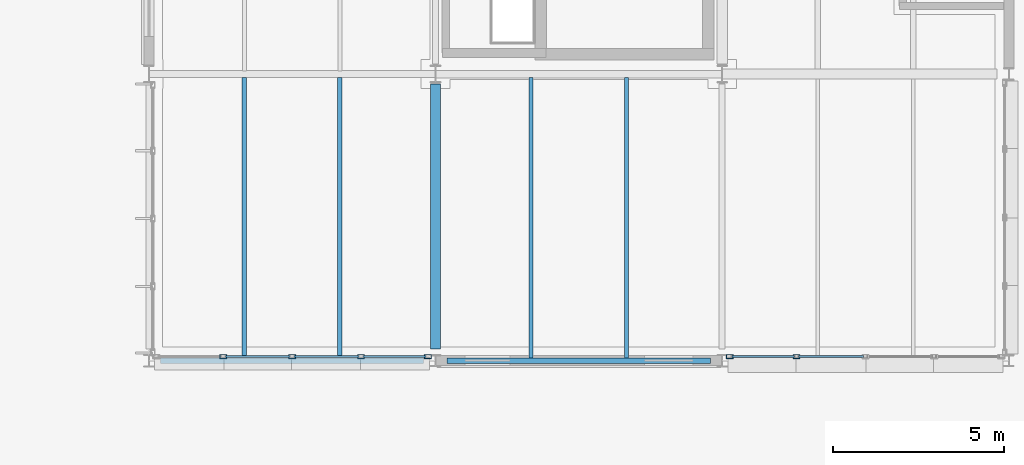
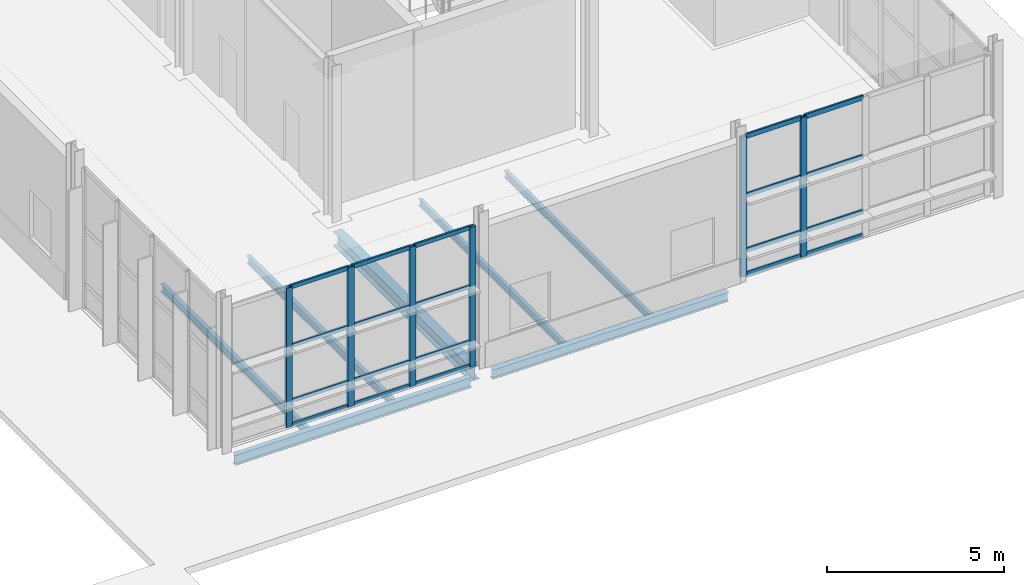
# One storey, part 53 of 124: 26 members, 7 beams, 2 elements without a shape of their own.
"""IFC4 building model written with IfcOpenShell, lengths in metres."""

from ifc_helpers import new_model, si_unit, direction, frame, origin, origin_2d, place, context, subcontext, project, spatial, hollow_rectangle, i_section, extrude, material, material_profile, profile_set, type_object, element, aggregate, save


model = new_model("IFC4")

# Units and contexts
model_context = context("Model", 3, precision=1e-05, world=origin(), true_north=direction((0.0, 1.0)))
body_context = subcontext(model_context, "Body", "Model", "MODEL_VIEW")
ifc_project = project(units=[si_unit("LENGTHUNIT", "METRE"), si_unit("AREAUNIT", "SQUARE_METRE"), si_unit("VOLUMEUNIT", "CUBIC_METRE"), si_unit("PLANEANGLEUNIT", "RADIAN"), si_unit("MASSUNIT", "GRAM", prefix="KILO")], contexts=[model_context])

# Site, building, storey
site_placement = place(None, origin())
site = spatial("IfcSite", under=ifc_project, at=site_placement, CompositionType="ELEMENT")
building_placement = place(site_placement, origin())
building = spatial("IfcBuilding", under=site, at=building_placement, Name="Mersafa Astral City Hall", CompositionType="ELEMENT")
storey_placement = place(building_placement, origin())
storey = spatial("IfcBuildingStorey", under=building, at=storey_placement, Name="L00", CompositionType="ELEMENT", Elevation=0.0)

# Curtain wall, members
ifc_material_1 = material(Name="Anodised bronze aluminium framing", Category="aluminium")
curtain_wall_type_1 = type_object("IfcCurtainWallType", Name="ENV-CW-6", PredefinedType="USERDEFINED", material=ifc_material_1)
curtain_wall_1_placement = place(storey_placement, origin())
curtain_wall_1 = element("IfcCurtainWall", 1, at=curtain_wall_1_placement, inside=storey, type_object=curtain_wall_type_1, Name="L00 Unitised solar curtain wall 23", ObjectType="UNITISED CURTAIN WALL", PredefinedType="USERDEFINED")
ifc_material_profile_1 = material_profile(ifc_material_1, hollow_rectangle(XDim=0.1201171875, YDim=0.199951171875, WallThickness=0.008056640625, at=origin_2d()), Name="RHS 120x200x8")
ifc_profile_set_1 = profile_set([ifc_material_profile_1], Name="Anodised bronze aluminium framing")
member_type_1 = type_object("IfcMemberType", Name="ENV-CW-MUL-2", PredefinedType="MULLION", material=ifc_profile_set_1)
member_1_placement = place(storey_placement, frame((161.781005859375, 42.1201171875, -0.001953125), z_axis=(0.0, 0.0, 1.0), x_axis=(0.0, 1.0, 0.0)))
member_1 = element("IfcMember", 2, at=member_1_placement, type_object=member_type_1, Name="CW-6 mullion 2", PredefinedType="MULLION", context=body_context, shape_type="SweptSolid", body=[
    extrude(hollow_rectangle(XDim=0.1201171875, YDim=0.199951171875, WallThickness=0.008056640625, at=origin_2d()), origin(), (0.0, 0.0, 1.0), 4.81396484375),
])
member_2_placement = place(storey_placement, frame((163.800048828125, 42.1201171875, -0.001953125), z_axis=(0.0, 0.0, 1.0), x_axis=(0.0, 1.0, 0.0)))
member_2 = element("IfcMember", 3, at=member_2_placement, type_object=member_type_1, Name="CW-6 mullion 3", PredefinedType="MULLION", context=body_context, shape_type="SweptSolid", body=[
    extrude(hollow_rectangle(XDim=0.1201171875, YDim=0.199951171875, WallThickness=0.008056640625, at=origin_2d()), origin(), (0.0, 0.0, 1.0), 4.81396484375),
])
member_3_placement = place(storey_placement, frame((165.819091796875, 42.1201171875, -0.001953125), z_axis=(0.0, 0.0, 1.0), x_axis=(0.0, 1.0, 0.0)))
member_3 = element("IfcMember", 4, at=member_3_placement, type_object=member_type_1, Name="CW-6 mullion 4", PredefinedType="MULLION", context=body_context, shape_type="SweptSolid", body=[
    extrude(hollow_rectangle(XDim=0.1201171875, YDim=0.199951171875, WallThickness=0.008056640625, at=origin_2d()), origin(), (0.0, 0.0, 1.0), 4.81396484375),
])
member_4_placement = place(storey_placement, frame((167.778076171875, 42.1201171875, -0.001953125), z_axis=(0.0, 0.0, 1.0), x_axis=(0.0, 1.0, 0.0)))
member_4 = element("IfcMember", 5, at=member_4_placement, type_object=member_type_1, Name="CW-6 mullion 5", PredefinedType="MULLION", context=body_context, shape_type="SweptSolid", body=[
    extrude(hollow_rectangle(XDim=0.1201171875, YDim=0.199951171875, WallThickness=0.008056640625, at=origin_2d()), origin(), (0.0, 0.0, 1.0), 4.81396484375),
])

curtain_wall_type_2 = type_object("IfcCurtainWallType", Name="ENV-CW-1", PredefinedType="USERDEFINED", material=ifc_material_1)
curtain_wall_2_placement = place(storey_placement, origin())
curtain_wall_2 = element("IfcCurtainWall", 6, at=curtain_wall_2_placement, inside=storey, type_object=curtain_wall_type_2, Name="L00 Unitised solar curtain wall 24", ObjectType="UNITISED CURTAIN WALL", PredefinedType="USERDEFINED")
member_5_placement = place(storey_placement, frame((176.6220703125, 42.1201171875, -0.001953125), z_axis=(0.0, 0.0, 1.0), x_axis=(0.0, 1.0, 0.0)))
member_5 = element("IfcMember", 7, at=member_5_placement, type_object=member_type_1, Name="CW-1 mullion 1", PredefinedType="MULLION", context=body_context, shape_type="SweptSolid", body=[
    extrude(hollow_rectangle(XDim=0.1201171875, YDim=0.199951171875, WallThickness=0.008056640625, at=origin_2d()), origin(), (0.0, 0.0, 1.0), 4.81396484375),
])
member_6_placement = place(storey_placement, frame((178.5810546875, 42.1201171875, -0.001953125), z_axis=(0.0, 0.0, 1.0), x_axis=(0.0, 1.0, 0.0)))
member_6 = element("IfcMember", 8, at=member_6_placement, type_object=member_type_1, Name="CW-1 mullion 2", PredefinedType="MULLION", context=body_context, shape_type="SweptSolid", body=[
    extrude(hollow_rectangle(XDim=0.1201171875, YDim=0.199951171875, WallThickness=0.008056640625, at=origin_2d()), origin(), (0.0, 0.0, 1.0), 4.81396484375),
])

# Member
ifc_material_profile_2 = material_profile(ifc_material_1, hollow_rectangle(XDim=0.06005859375, YDim=0.139892578125, WallThickness=0.00390625, at=origin_2d()), Name="RHS 60x140x4")
ifc_profile_set_2 = profile_set([ifc_material_profile_2], Name="Anodised bronze aluminium framing")
member_type_2 = type_object("IfcMemberType", Name="ENV-CW-TRN-1", PredefinedType="USERDEFINED", material=ifc_profile_set_2)
member_7_placement = place(storey_placement, frame((161.841064453125, 42.1201171875, 0.028076171875), z_axis=(1.0, 0.0, 0.0), x_axis=(0.0, 1.0, 0.0)))
member_7 = element("IfcMember", 9, at=member_7_placement, type_object=member_type_2, Name="CW-6 transom 2.1", ObjectType="TRANSOM", PredefinedType="USERDEFINED", context=body_context, shape_type="SweptSolid", body=[
    extrude(hollow_rectangle(XDim=0.06005859375, YDim=0.139892578125, WallThickness=0.00390625, at=origin_2d()), origin(), (0.0, 0.0, 1.0), 1.89892578125),
])

member_8_placement = place(storey_placement, frame((161.841064453125, 42.1201171875, 0.85009765625), z_axis=(1.0, 0.0, 0.0), x_axis=(0.0, 1.0, 0.0)))
member_8 = element("IfcMember", 10, at=member_8_placement, type_object=member_type_2, Name="CW-6 transom 2.2", ObjectType="TRANSOM", PredefinedType="USERDEFINED", context=body_context, shape_type="SweptSolid", body=[
    extrude(hollow_rectangle(XDim=0.06005859375, YDim=0.139892578125, WallThickness=0.00390625, at=origin_2d()), origin(), (0.0, 0.0, 1.0), 1.89892578125),
])

member_9_placement = place(storey_placement, frame((161.841064453125, 42.1201171875, 2.75), z_axis=(1.0, 0.0, 0.0), x_axis=(0.0, 1.0, 0.0)))
member_9 = element("IfcMember", 11, at=member_9_placement, type_object=member_type_2, Name="CW-6 transom 2.3", ObjectType="TRANSOM", PredefinedType="USERDEFINED", context=body_context, shape_type="SweptSolid", body=[
    extrude(hollow_rectangle(XDim=0.06005859375, YDim=0.139892578125, WallThickness=0.00390625, at=origin_2d()), origin(), (0.0, 0.0, 1.0), 1.89892578125),
])

member_10_placement = place(storey_placement, frame((161.841064453125, 42.1201171875, 4.781982421875), z_axis=(1.0, 0.0, 0.0), x_axis=(0.0, 1.0, 0.0)))
member_10 = element("IfcMember", 12, at=member_10_placement, type_object=member_type_2, Name="CW-6 transom 2.4", ObjectType="TRANSOM", PredefinedType="USERDEFINED", context=body_context, shape_type="SweptSolid", body=[
    extrude(hollow_rectangle(XDim=0.06005859375, YDim=0.139892578125, WallThickness=0.00390625, at=origin_2d()), origin(), (0.0, 0.0, 1.0), 1.89892578125),
])

member_11_placement = place(storey_placement, frame((163.860107421875, 42.1201171875, 0.028076171875), z_axis=(1.0, 0.0, 0.0), x_axis=(0.0, 1.0, 0.0)))
member_11 = element("IfcMember", 13, at=member_11_placement, type_object=member_type_2, Name="CW-6 transom 3.1", ObjectType="TRANSOM", PredefinedType="USERDEFINED", context=body_context, shape_type="SweptSolid", body=[
    extrude(hollow_rectangle(XDim=0.06005859375, YDim=0.139892578125, WallThickness=0.00390625, at=origin_2d()), origin(), (0.0, 0.0, 1.0), 1.89892578125),
])

member_12_placement = place(storey_placement, frame((163.860107421875, 42.1201171875, 0.85009765625), z_axis=(1.0, 0.0, 0.0), x_axis=(0.0, 1.0, 0.0)))
member_12 = element("IfcMember", 14, at=member_12_placement, type_object=member_type_2, Name="CW-6 transom 3.2", ObjectType="TRANSOM", PredefinedType="USERDEFINED", context=body_context, shape_type="SweptSolid", body=[
    extrude(hollow_rectangle(XDim=0.06005859375, YDim=0.139892578125, WallThickness=0.00390625, at=origin_2d()), origin(), (0.0, 0.0, 1.0), 1.89892578125),
])

member_13_placement = place(storey_placement, frame((163.860107421875, 42.1201171875, 2.75), z_axis=(1.0, 0.0, 0.0), x_axis=(0.0, 1.0, 0.0)))
member_13 = element("IfcMember", 15, at=member_13_placement, type_object=member_type_2, Name="CW-6 transom 3.3", ObjectType="TRANSOM", PredefinedType="USERDEFINED", context=body_context, shape_type="SweptSolid", body=[
    extrude(hollow_rectangle(XDim=0.06005859375, YDim=0.139892578125, WallThickness=0.00390625, at=origin_2d()), origin(), (0.0, 0.0, 1.0), 1.89892578125),
])

member_14_placement = place(storey_placement, frame((163.860107421875, 42.1201171875, 4.781982421875), z_axis=(1.0, 0.0, 0.0), x_axis=(0.0, 1.0, 0.0)))
member_14 = element("IfcMember", 16, at=member_14_placement, type_object=member_type_2, Name="CW-6 transom 3.4", ObjectType="TRANSOM", PredefinedType="USERDEFINED", context=body_context, shape_type="SweptSolid", body=[
    extrude(hollow_rectangle(XDim=0.06005859375, YDim=0.139892578125, WallThickness=0.00390625, at=origin_2d()), origin(), (0.0, 0.0, 1.0), 1.89892578125),
])

member_15_placement = place(storey_placement, frame((165.87890625, 42.1201171875, 0.028076171875), z_axis=(1.0, 0.0, 0.0), x_axis=(0.0, 1.0, 0.0)))
member_15 = element("IfcMember", 17, at=member_15_placement, type_object=member_type_2, Name="CW-6 transom 4.1", ObjectType="TRANSOM", PredefinedType="USERDEFINED", context=body_context, shape_type="SweptSolid", body=[
    extrude(hollow_rectangle(XDim=0.06005859375, YDim=0.139892578125, WallThickness=0.00390625, at=origin_2d()), origin(), (0.0, 0.0, 1.0), 1.839111328125),
])

member_16_placement = place(storey_placement, frame((165.87890625, 42.1201171875, 0.85009765625), z_axis=(1.0, 0.0, 0.0), x_axis=(0.0, 1.0, 0.0)))
member_16 = element("IfcMember", 18, at=member_16_placement, type_object=member_type_2, Name="CW-6 transom 4.2", ObjectType="TRANSOM", PredefinedType="USERDEFINED", context=body_context, shape_type="SweptSolid", body=[
    extrude(hollow_rectangle(XDim=0.06005859375, YDim=0.139892578125, WallThickness=0.00390625, at=origin_2d()), origin(), (0.0, 0.0, 1.0), 1.839111328125),
])

member_17_placement = place(storey_placement, frame((165.87890625, 42.1201171875, 2.75), z_axis=(1.0, 0.0, 0.0), x_axis=(0.0, 1.0, 0.0)))
member_17 = element("IfcMember", 19, at=member_17_placement, type_object=member_type_2, Name="CW-6 transom 4.3", ObjectType="TRANSOM", PredefinedType="USERDEFINED", context=body_context, shape_type="SweptSolid", body=[
    extrude(hollow_rectangle(XDim=0.06005859375, YDim=0.139892578125, WallThickness=0.00390625, at=origin_2d()), origin(), (0.0, 0.0, 1.0), 1.839111328125),
])

member_18_placement = place(storey_placement, frame((165.87890625, 42.1201171875, 4.781982421875), z_axis=(1.0, 0.0, 0.0), x_axis=(0.0, 1.0, 0.0)))
member_18 = element("IfcMember", 20, at=member_18_placement, type_object=member_type_2, Name="CW-6 transom 4.4", ObjectType="TRANSOM", PredefinedType="USERDEFINED", context=body_context, shape_type="SweptSolid", body=[
    extrude(hollow_rectangle(XDim=0.06005859375, YDim=0.139892578125, WallThickness=0.00390625, at=origin_2d()), origin(), (0.0, 0.0, 1.0), 1.839111328125),
])

aggregate(curtain_wall_1, [member_1, member_2, member_3, member_4, member_7, member_8, member_9, member_10, member_11, member_12, member_13, member_14, member_15, member_16, member_17, member_18])

ifc_material_profile_3 = material_profile(ifc_material_1, hollow_rectangle(XDim=0.06005859375, YDim=0.159912109375, WallThickness=0.00390625, at=origin_2d()), Name="RHS 60x160x4")
ifc_profile_set_3 = profile_set([ifc_material_profile_3], Name="Anodised bronze aluminium framing")
member_type_3 = type_object("IfcMemberType", Name="ENV-CW-TRN-2", PredefinedType="USERDEFINED", material=ifc_profile_set_3)
member_19_placement = place(storey_placement, frame((176.681884765625, 42.1201171875, 0.028076171875), z_axis=(1.0, 0.0, 0.0), x_axis=(0.0, 1.0, 0.0)))
member_19 = element("IfcMember", 21, at=member_19_placement, type_object=member_type_3, Name="CW-1 transom 1.1", ObjectType="TRANSOM", PredefinedType="USERDEFINED", context=body_context, shape_type="SweptSolid", body=[
    extrude(hollow_rectangle(XDim=0.06005859375, YDim=0.159912109375, WallThickness=0.00390625, at=origin_2d()), origin(), (0.0, 0.0, 1.0), 1.839111328125),
])

member_20_placement = place(storey_placement, frame((176.681884765625, 42.1201171875, 0.85009765625), z_axis=(1.0, 0.0, 0.0), x_axis=(0.0, 1.0, 0.0)))
member_20 = element("IfcMember", 22, at=member_20_placement, type_object=member_type_3, Name="CW-1 transom 1.2", ObjectType="TRANSOM", PredefinedType="USERDEFINED", context=body_context, shape_type="SweptSolid", body=[
    extrude(hollow_rectangle(XDim=0.06005859375, YDim=0.159912109375, WallThickness=0.00390625, at=origin_2d()), origin(), (0.0, 0.0, 1.0), 1.839111328125),
])

member_21_placement = place(storey_placement, frame((176.681884765625, 42.1201171875, 2.75), z_axis=(1.0, 0.0, 0.0), x_axis=(0.0, 1.0, 0.0)))
member_21 = element("IfcMember", 23, at=member_21_placement, type_object=member_type_3, Name="CW-1 transom 1.3", ObjectType="TRANSOM", PredefinedType="USERDEFINED", context=body_context, shape_type="SweptSolid", body=[
    extrude(hollow_rectangle(XDim=0.06005859375, YDim=0.159912109375, WallThickness=0.00390625, at=origin_2d()), origin(), (0.0, 0.0, 1.0), 1.839111328125),
])

member_22_placement = place(storey_placement, frame((176.681884765625, 42.1201171875, 4.781982421875), z_axis=(1.0, 0.0, 0.0), x_axis=(0.0, 1.0, 0.0)))
member_22 = element("IfcMember", 24, at=member_22_placement, type_object=member_type_3, Name="CW-1 transom 1.4", ObjectType="TRANSOM", PredefinedType="USERDEFINED", context=body_context, shape_type="SweptSolid", body=[
    extrude(hollow_rectangle(XDim=0.06005859375, YDim=0.159912109375, WallThickness=0.00390625, at=origin_2d()), origin(), (0.0, 0.0, 1.0), 1.839111328125),
])

member_23_placement = place(storey_placement, frame((178.64111328125, 42.1201171875, 0.028076171875), z_axis=(1.0, 0.0, 0.0), x_axis=(0.0, 1.0, 0.0)))
member_23 = element("IfcMember", 25, at=member_23_placement, type_object=member_type_3, Name="CW-1 transom 2.1", ObjectType="TRANSOM", PredefinedType="USERDEFINED", context=body_context, shape_type="SweptSolid", body=[
    extrude(hollow_rectangle(XDim=0.06005859375, YDim=0.159912109375, WallThickness=0.00390625, at=origin_2d()), origin(), (0.0, 0.0, 1.0), 1.89892578125),
])

member_24_placement = place(storey_placement, frame((178.64111328125, 42.1201171875, 0.85009765625), z_axis=(1.0, 0.0, 0.0), x_axis=(0.0, 1.0, 0.0)))
member_24 = element("IfcMember", 26, at=member_24_placement, type_object=member_type_3, Name="CW-1 transom 2.2", ObjectType="TRANSOM", PredefinedType="USERDEFINED", context=body_context, shape_type="SweptSolid", body=[
    extrude(hollow_rectangle(XDim=0.06005859375, YDim=0.159912109375, WallThickness=0.00390625, at=origin_2d()), origin(), (0.0, 0.0, 1.0), 1.89892578125),
])

member_25_placement = place(storey_placement, frame((178.64111328125, 42.1201171875, 2.75), z_axis=(1.0, 0.0, 0.0), x_axis=(0.0, 1.0, 0.0)))
member_25 = element("IfcMember", 27, at=member_25_placement, type_object=member_type_3, Name="CW-1 transom 2.3", ObjectType="TRANSOM", PredefinedType="USERDEFINED", context=body_context, shape_type="SweptSolid", body=[
    extrude(hollow_rectangle(XDim=0.06005859375, YDim=0.159912109375, WallThickness=0.00390625, at=origin_2d()), origin(), (0.0, 0.0, 1.0), 1.89892578125),
])

member_26_placement = place(storey_placement, frame((178.64111328125, 42.1201171875, 4.781982421875), z_axis=(1.0, 0.0, 0.0), x_axis=(0.0, 1.0, 0.0)))
member_26 = element("IfcMember", 28, at=member_26_placement, type_object=member_type_3, Name="CW-1 transom 2.4", ObjectType="TRANSOM", PredefinedType="USERDEFINED", context=body_context, shape_type="SweptSolid", body=[
    extrude(hollow_rectangle(XDim=0.06005859375, YDim=0.159912109375, WallThickness=0.00390625, at=origin_2d()), origin(), (0.0, 0.0, 1.0), 1.89892578125),
])

aggregate(curtain_wall_2, [member_5, member_6, member_19, member_20, member_21, member_22, member_23, member_24, member_25, member_26])

# Beams
ifc_material_2 = material(Name="Steel S355", Category="steel")
ifc_material_profile_4 = material_profile(ifc_material_2, i_section(OverallWidth=0.300048828125, OverallDepth=0.489990234375, WebThickness=0.011962890625, FlangeThickness=0.02294921875, FilletRadius=0.027099609375, at=origin_2d()), Name="HEA 500")
ifc_profile_set_4 = profile_set([ifc_material_profile_4], Name="Steel S355")
beam_type_1 = type_object("IfcBeamType", Name="STR-BM-HEA500", PredefinedType="BEAM", material=ifc_profile_set_4)
beam_1_placement = place(storey_placement, frame((168.0, 42.344970703125, -0.4951171875), z_axis=(0.0, 1.0, 0.0), x_axis=(-1.0, 0.0, 0.0)))
element("IfcBeam", 29, at=beam_1_placement, inside=storey, type_object=beam_type_1, Name="L00 Primary girder Y 20-5", PredefinedType="BEAM", context=body_context, shape_type="SweptSolid", body=[
    extrude(i_section(OverallWidth=0.300048828125, OverallDepth=0.489990234375, WebThickness=0.011962890625, FlangeThickness=0.02294921875, FilletRadius=0.027099609375, at=origin_2d()), origin(), (0.0, 0.0, 1.0), 7.760009765625),
])
ifc_material_profile_5 = material_profile(ifc_material_2, i_section(OverallWidth=0.1201171875, OverallDepth=0.239990234375, WebThickness=0.006103515625, FlangeThickness=0.009765625, FilletRadius=0.014892578125, at=origin_2d()), Name="IPE 240")
ifc_profile_set_5 = profile_set([ifc_material_profile_5], Name="Steel S355")
beam_type_2 = type_object("IfcBeamType", Name="STR-BM-JOIST-IPE240", PredefinedType="JOIST", material=ifc_profile_set_5)
for number, where, z_axis, x_axis, name in (
    (30, (170.800048828125, 42.074951171875, -0.3701171875), (0.0, 1.0, 0.0), (-1.0, 0.0, 0.0), "L00 Composite secondary floor joist 198"),
    (31, (173.60009765625, 42.074951171875, -0.3701171875), (0.0, 1.0, 0.0), (-1.0, 0.0, 0.0), "L00 Composite secondary floor joist 199"),
):
    element("IfcBeam", number, at=place(storey_placement, frame(where, z_axis=z_axis, x_axis=x_axis)), inside=storey, type_object=beam_type_2, Name=name, PredefinedType="JOIST", context=body_context, shape_type="SweptSolid", body=[
        extrude(i_section(OverallWidth=0.1201171875, OverallDepth=0.239990234375, WebThickness=0.006103515625, FlangeThickness=0.009765625, FilletRadius=0.014892578125, at=origin_2d()), origin(), (0.0, 0.0, 1.0), 8.219970703125),
    ])
ifc_material_profile_6 = material_profile(ifc_material_2, i_section(OverallWidth=0.135009765625, OverallDepth=0.27001953125, WebThickness=0.006591796875, FlangeThickness=0.01025390625, FilletRadius=0.014892578125, at=origin_2d()), Name="IPE 270")
ifc_profile_set_6 = profile_set([ifc_material_profile_6], Name="Steel S355")
beam_type_3 = type_object("IfcBeamType", Name="STR-BM-JOIST-IPE270", PredefinedType="JOIST", material=ifc_profile_set_6)
for number, where, z_axis, x_axis, name in (
    (32, (162.39990234375, 42.080078125, -0.385009765625), (0.0, 1.0, 0.0), (-1.0, 0.0, 0.0), "L00 Composite secondary floor joist 180"),
    (33, (165.199951171875, 42.080078125, -0.385009765625), (0.0, 1.0, 0.0), (-1.0, 0.0, 0.0), "L00 Composite secondary floor joist 181"),
):
    element("IfcBeam", number, at=place(storey_placement, frame(where, z_axis=z_axis, x_axis=x_axis)), inside=storey, type_object=beam_type_3, Name=name, PredefinedType="JOIST", context=body_context, shape_type="SweptSolid", body=[
        extrude(i_section(OverallWidth=0.135009765625, OverallDepth=0.27001953125, WebThickness=0.006591796875, FlangeThickness=0.01025390625, FilletRadius=0.014892578125, at=origin_2d()), origin(), (0.0, 0.0, 1.0), 8.224853515625),
    ])
ifc_material_profile_7 = material_profile(ifc_material_2, i_section(OverallWidth=0.159912109375, OverallDepth=0.330078125, WebThickness=0.007568359375, FlangeThickness=0.011474609375, FilletRadius=0.01806640625, at=origin_2d()), Name="IPE 330")
ifc_profile_set_7 = profile_set([ifc_material_profile_7], Name="Steel S355")
beam_type_4 = type_object("IfcBeamType", Name="STR-BM-SPANDREL-IPE330", PredefinedType="SPANDREL", material=ifc_profile_set_7)
beam_2_placement = place(storey_placement, frame((168.344970703125, 42.0, -0.4150390625), z_axis=(1.0, 0.0, 0.0), x_axis=(0.0, 1.0, 0.0)))
element("IfcBeam", 34, at=beam_2_placement, inside=storey, type_object=beam_type_4, Name="L00 Primary girder X 20-5", PredefinedType="SPANDREL", context=body_context, shape_type="SweptSolid", body=[
    extrude(i_section(OverallWidth=0.159912109375, OverallDepth=0.330078125, WebThickness=0.007568359375, FlangeThickness=0.011474609375, FilletRadius=0.01806640625, at=origin_2d()), origin(), (0.0, 0.0, 1.0), 7.7099609375),
])
ifc_material_profile_8 = material_profile(ifc_material_2, i_section(OverallWidth=0.169921875, OverallDepth=0.360107421875, WebThickness=0.008056640625, FlangeThickness=0.0126953125, FilletRadius=0.01806640625, at=origin_2d()), Name="IPE 360")
ifc_profile_set_8 = profile_set([ifc_material_profile_8], Name="Steel S355")
beam_type_5 = type_object("IfcBeamType", Name="STR-BM-SPANDREL-IPE360", PredefinedType="SPANDREL", material=ifc_profile_set_8)
beam_3_placement = place(storey_placement, frame((159.945068359375, 42.0, -0.429931640625), z_axis=(1.0, 0.0, 0.0), x_axis=(0.0, 1.0, 0.0)))
element("IfcBeam", 35, at=beam_3_placement, inside=storey, type_object=beam_type_5, Name="L00 Primary girder X 19-5", PredefinedType="SPANDREL", context=body_context, shape_type="SweptSolid", body=[
    extrude(i_section(OverallWidth=0.169921875, OverallDepth=0.360107421875, WebThickness=0.008056640625, FlangeThickness=0.0126953125, FilletRadius=0.01806640625, at=origin_2d()), origin(), (0.0, 0.0, 1.0), 7.7099609375),
])

save(model, "model.ifc")
